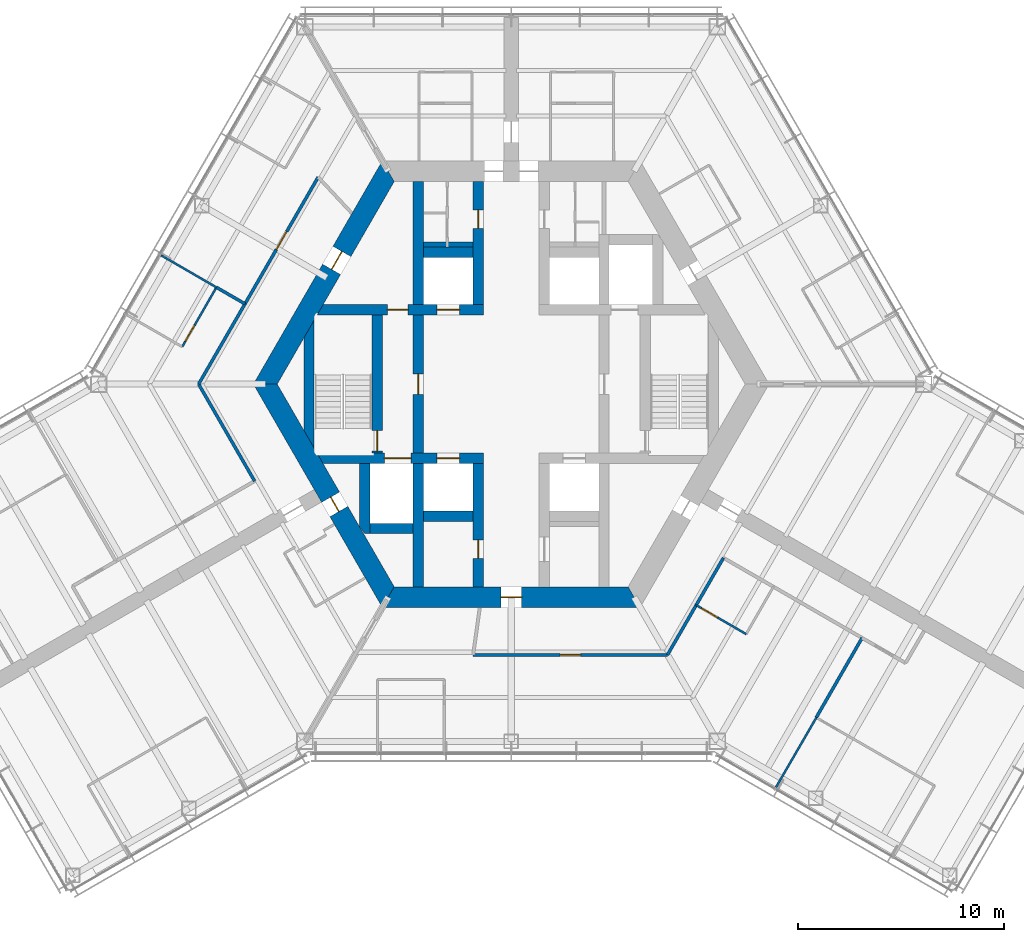
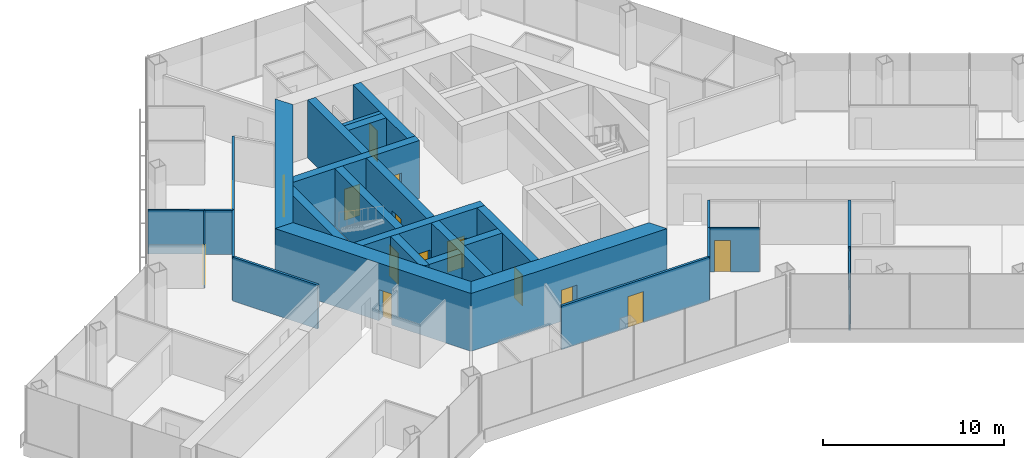
# One storey, part 12 of 18: 29 walls, 15 doors, 15 openings.
"""IFC4 building model written with IfcOpenShell, lengths in metres."""

import ifcopenshell
import ifcopenshell.guid

model = None  # the IFC model being written
_history = None  # IfcOwnerHistory: only IFC2X3 demands one
_inside = {}  # id of a spatial element -> (the spatial element, [elements in it])
_under = {}  # id of a project, library or spatial element -> (it, [spatial elements below it])
_declared = {}  # id of a project -> (the project, [libraries it declares])
_typed = {}  # id of a type object -> (the type object, [elements of that type])
_made_of = {}  # id of a material, layer set ... -> (it, [elements and type objects made of it])


def new_model(schema):
    """Start an empty IFC model of exactly this schema.

    Asked for "IFC4X3", IfcOpenShell would pick the latest addendum, in which some entities
    have other attributes; the version numbers below select the first issue.
    IFC2X3 requires an IfcOwnerHistory on every rooted entity: one is made here for all.
    """
    global model, _history
    if schema == "IFC4X3":
        model = ifcopenshell.file(schema_version=(4, 3, 0, 0))
    else:
        model = ifcopenshell.file(schema=schema)
    _inside.clear()
    _under.clear()
    _declared.clear()
    _typed.clear()
    _made_of.clear()
    _history = None
    if model.schema == "IFC2X3":
        org = make("IfcOrganization", Name="unknown")
        user = make(
            "IfcPersonAndOrganization",
            ThePerson=make("IfcPerson", FamilyName="unknown"),
            TheOrganization=org,
        )
        app = make(
            "IfcApplication",
            ApplicationDeveloper=org,
            Version="unknown",
            ApplicationFullName="unknown",
            ApplicationIdentifier="unknown",
        )
        _history = make(
            "IfcOwnerHistory",
            OwningUser=user,
            OwningApplication=app,
            ChangeAction="ADDED",
            CreationDate=0,
        )
    return model


def make(cls, **values):
    """One entity of the class cls with the attributes given. An attribute that is None is left unset."""
    return model.create_entity(
        cls, **{name: value for name, value in values.items() if value is not None}
    )


def rooted(cls, **values):
    """An entity with a GlobalId (a new one), such as an element, a storey or a relation."""
    return make(cls, GlobalId=ifcopenshell.guid.new(), OwnerHistory=_history, **values)


def si_unit(unit_type, name, prefix=None):
    """IfcSIUnit, for example si_unit("LENGTHUNIT", "METRE", prefix="MILLI")."""
    return make("IfcSIUnit", UnitType=unit_type, Prefix=prefix, Name=name)


def assignment(units):
    """IfcUnitAssignment: the units of a project."""
    return None if units is None else make("IfcUnitAssignment", Units=units)


def point(xyz):
    """IfcCartesianPoint."""
    return None if xyz is None else make("IfcCartesianPoint", Coordinates=xyz)


def direction(xyz):
    """IfcDirection."""
    return None if xyz is None else make("IfcDirection", DirectionRatios=xyz)


def frame(location, z_axis=None, x_axis=None):
    """IfcAxis2Placement3D, a coordinate frame: its origin and axes. An axis left out is left unset."""
    return make(
        "IfcAxis2Placement3D",
        Location=point(location),
        Axis=direction(z_axis),
        RefDirection=direction(x_axis),
    )


def frame_2d(location, x_axis=None):
    """IfcAxis2Placement2D, a coordinate frame in the plane: its origin and x axis."""
    return make(
        "IfcAxis2Placement2D", Location=point(location), RefDirection=direction(x_axis)
    )


def origin():
    """The frame at (0, 0, 0) with its axes left unset."""
    return frame((0.0, 0.0, 0.0))


def place(relative_to, where):
    """IfcLocalPlacement: puts the frame where relative to a parent placement (None: the world)."""
    return make(
        "IfcLocalPlacement", PlacementRelTo=relative_to, RelativePlacement=where
    )


def context(
    kind, dimensions, precision=None, world=None, true_north=None, identifier=None
):
    """IfcGeometricRepresentationContext, for example the 3D "Model" context."""
    return make(
        "IfcGeometricRepresentationContext",
        ContextIdentifier=identifier,
        ContextType=kind,
        CoordinateSpaceDimension=dimensions,
        Precision=precision,
        WorldCoordinateSystem=world,
        TrueNorth=true_north,
    )


def subcontext(parent, identifier, kind, view, scale=None):
    """IfcGeometricRepresentationSubContext, for example "Body" below "Model"."""
    return make(
        "IfcGeometricRepresentationSubContext",
        ContextIdentifier=identifier,
        ContextType=kind,
        ParentContext=parent,
        TargetScale=scale,
        TargetView=view,
    )


def project(units=None, contexts=None):
    """IfcProject with its units and contexts."""
    return rooted(
        "IfcProject",
        Name="project",
        RepresentationContexts=contexts,
        UnitsInContext=assignment(units),
    )


def spatial(cls, under=None, at=None, **own):
    """A site, building, storey or space (cls), placed at a placement, below another one or the project."""
    s = rooted(cls, ObjectPlacement=at, **own)
    if under is not None:
        _under.setdefault(under.id(), (under, []))[1].append(s)
    return s


def polyline(points):
    """IfcPolyline through the points."""
    return make("IfcPolyline", Points=[point(p) for p in points])


def profile(cls, at=None, kind="AREA", **sizes):
    """A parametric profile (cls). Its sizes go by their IFC names, for example OverallWidth=200.0."""
    return make(cls, ProfileType=kind, Position=at, **sizes)


def rectangle(**sizes):
    """IfcRectangleProfileDef."""
    return profile("IfcRectangleProfileDef", **sizes)


def outline(outer, holes=None, kind="AREA"):
    """IfcArbitraryClosedProfileDef: a profile drawn as a closed curve; with holes, ...WithVoids."""
    if holes is None:
        return make("IfcArbitraryClosedProfileDef", ProfileType=kind, OuterCurve=outer)
    return make(
        "IfcArbitraryProfileDefWithVoids",
        ProfileType=kind,
        OuterCurve=outer,
        InnerCurves=holes,
    )


def extrude(swept, where, along, depth):
    """IfcExtrudedAreaSolid: the profile swept, set in the frame where, extruded along a direction by depth."""
    return make(
        "IfcExtrudedAreaSolid",
        SweptArea=swept,
        Position=where,
        ExtrudedDirection=direction(along),
        Depth=depth,
    )


def shape(context_of_items, identifier, shape_type, items):
    """IfcShapeRepresentation: the items that make up one representation, for example the "Body"."""
    return make(
        "IfcShapeRepresentation",
        ContextOfItems=context_of_items,
        RepresentationIdentifier=identifier,
        RepresentationType=shape_type,
        Items=items,
    )


def material(Name=None, Category=None):
    """IfcMaterial."""
    return make("IfcMaterial", Name=Name, Category=Category)


def layer(
    of_material, thickness, ventilated=None, Name=None, Category=None, Priority=None
):
    """IfcMaterialLayer: one layer of a wall or slab, of a material (None: an air gap)."""
    return make(
        "IfcMaterialLayer",
        Material=of_material,
        LayerThickness=thickness,
        IsVentilated=ventilated,
        Name=Name,
        Category=Category,
        Priority=Priority,
    )


def layer_set(layers, Name=None):
    """IfcMaterialLayerSet."""
    return make("IfcMaterialLayerSet", MaterialLayers=layers, LayerSetName=Name)


def made_of(thing, what):
    """Note that an element or type object is made of a material, layer set ...; save() writes the relation."""
    if what is not None:
        _made_of.setdefault(what.id(), (what, []))[1].append(thing)
    return thing


def type_object(cls, material=None, **own):
    """A type object (cls), such as IfcWallType, which elements share."""
    return made_of(rooted(cls, **own), material)


def element(
    cls,
    number,
    at=None,
    inside=None,
    cuts=None,
    type_object=None,
    material=None,
    context=None,
    identifier="Body",
    shape_type=None,
    held_by="IfcProductDefinitionShape",
    body=None,
    shapes=None,
    **own,
):
    """One element of the class cls, such as IfcWall. Its Tag is "e" and its number.

    at: its placement. inside: the storey or other place that contains it. cuts: it is an
    opening in that element (IfcRelVoidsElement). A single representation is given by context,
    identifier, shape_type and body (its items); several are given by shapes. held_by: the class
    of the entity that holds the representations. save() writes the other relations.
    """
    e = rooted(cls, Tag="e%d" % number, ObjectPlacement=at, **own)
    if body is not None:
        shapes = [shape(context, identifier, shape_type, body)]
    if shapes is not None:
        e.Representation = make(held_by, Representations=shapes)
    if inside is not None:
        _inside.setdefault(inside.id(), (inside, []))[1].append(e)
    if cuts is not None:
        rooted(
            "IfcRelVoidsElement", RelatingBuildingElement=cuts, RelatedOpeningElement=e
        )
    if type_object is not None:
        _typed.setdefault(type_object.id(), (type_object, []))[1].append(e)
    return made_of(e, material)


def fill(opening, filler):
    """IfcRelFillsElement: the door or window that sits in an opening."""
    return rooted(
        "IfcRelFillsElement",
        RelatingOpeningElement=opening,
        RelatedBuildingElement=filler,
    )


def aggregate(whole, parts):
    """IfcRelAggregates: a whole, such as a stair, and the parts it consists of."""
    return rooted("IfcRelAggregates", RelatingObject=whole, RelatedObjects=parts)


def save(model, path):
    """Write the relations noted so far, then the file.

    IfcRelAggregates (storeys below a building ...), IfcRelContainedInSpatialStructure (elements
    in a storey), IfcRelDefinesByType, IfcRelAssociatesMaterial and IfcRelDeclares: one each for
    every whole, place, type object, material and project.
    """
    for whole, parts in _under.values():
        aggregate(whole, parts)
    for where, things in _inside.values():
        rooted(
            "IfcRelContainedInSpatialStructure",
            RelatedElements=things,
            RelatingStructure=where,
        )
    for kind, things in _typed.values():
        rooted("IfcRelDefinesByType", RelatedObjects=things, RelatingType=kind)
    for what, things in _made_of.values():
        rooted("IfcRelAssociatesMaterial", RelatedObjects=things, RelatingMaterial=what)
    for by, libraries in _declared.values():
        rooted("IfcRelDeclares", RelatingContext=by, RelatedDefinitions=libraries)
    model.write(path)


model = new_model("IFC4")

# Units and contexts
model_context = context("Model", 3, precision=1e-05, world=origin(), true_north=direction((0.0, 1.0)))
body_context = subcontext(model_context, "Body", "Model", "MODEL_VIEW")
ifc_project = project(units=[si_unit("LENGTHUNIT", "METRE"), si_unit("AREAUNIT", "SQUARE_METRE"), si_unit("VOLUMEUNIT", "CUBIC_METRE"), si_unit("PLANEANGLEUNIT", "RADIAN"), si_unit("MASSUNIT", "GRAM", prefix="KILO")], contexts=[model_context])

# Site, building, storey
site_placement = place(None, origin())
site = spatial("IfcSite", under=ifc_project, at=site_placement, CompositionType="ELEMENT")
building_placement = place(site_placement, origin())
building = spatial("IfcBuilding", under=site, at=building_placement, Name="Kasaneha Research Tower", CompositionType="ELEMENT")
storey_placement = place(building_placement, frame((0.0, 0.0, 137.0)))
storey = spatial("IfcBuildingStorey", under=building, at=storey_placement, Name="L34", CompositionType="ELEMENT", Elevation=137.0)

# Wall, openings, doors
ifc_material_1 = material(Name="Concrete Fc70", Category="concrete")
ifc_layer_1 = layer(ifc_material_1, 0.5)
ifc_layer_set_1 = layer_set([ifc_layer_1], Name="Core internal wall 500 Fc70")
wall_type_1 = type_object("IfcWallType", Name="Core internal wall 500 Fc70", PredefinedType="SHEAR", material=ifc_layer_set_1)
wall_1_placement = place(storey_placement, frame((-9.266357421875, 3.60009765625, 0.0), z_axis=(0.0, 0.0, 1.0), x_axis=(1.0, 0.0, 0.0)))
wall_1 = element("IfcWall", 1, at=wall_1_placement, inside=storey, type_object=wall_type_1, Name="Core wall W1W L34", PredefinedType="SHEAR", context=body_context, shape_type="SweptSolid", body=[
    extrude(outline(polyline([(-0.144287109375, -0.25), (3.266357421875, -0.25), (4.266357421875, -0.25), (5.66650390625, -0.25), (6.7666015625, -0.25), (7.916259765625, -0.25), (7.916259765625, 0.25), (6.7666015625, 0.25), (5.66650390625, 0.25), (4.266357421875, 0.25), (3.266357421875, 0.25), (0.144287109375, 0.25), (-0.144287109375, -0.25)])), origin(), (0.0, 0.0, 1.0), 3.89990234375),
])
opening_1_placement = place(wall_1_placement, frame((3.266357421875, 0.0, 0.0)))
opening_1 = element("IfcOpeningElement", 2, at=opening_1_placement, cuts=wall_1, Name="Opening L34-D12", PredefinedType="OPENING", context=body_context, shape_type="SweptSolid", body=[
    extrude(rectangle(XDim=1.0, YDim=2.10009765625, at=frame_2d((0.5, 1.050048828125))), frame((0.0, 0.260009765625, 0.0), z_axis=(0.0, -1.0, 0.0), x_axis=(1.0, 0.0, 0.0)), (0.0, 0.0, 1.0), 0.52001953125),
])
opening_2_placement = place(wall_1_placement, frame((5.66650390625, 0.0, 0.0)))
opening_2 = element("IfcOpeningElement", 3, at=opening_2_placement, cuts=wall_1, Name="Opening LD-LM1-L34", PredefinedType="OPENING", context=body_context, shape_type="SweptSolid", body=[
    extrude(rectangle(XDim=1.10009765625, YDim=2.10009765625, at=frame_2d((0.550048828125, 1.050048828125))), frame((0.0, 0.260009765625, 0.0), z_axis=(0.0, -1.0, 0.0), x_axis=(1.0, 0.0, 0.0)), (0.0, 0.0, 1.0), 0.52001953125),
])
ifc_material_2 = material(Name="Steel", Category="steel")
door_type_1 = type_object("IfcDoorType", Name="Lift landing door 1100x2100", OperationType="DOUBLE_DOOR_SLIDING", PredefinedType="DOOR", material=ifc_material_2)
door_1_placement = place(opening_2_placement, origin())
door_1 = element("IfcDoor", 4, at=door_1_placement, inside=storey, type_object=door_type_1, Name="Landing door LM1 LD-LM1-L34", OperationType="DOUBLE_DOOR_SLIDING", OverallHeight=2.10009765625, OverallWidth=1.10009765625, PredefinedType="DOOR", context=body_context, shape_type="SweptSolid", body=[
    extrude(rectangle(XDim=1.10009765625, YDim=2.10009765625, at=frame_2d((0.550048828125, 1.050048828125))), frame((0.0, 0.02490234375, 0.0), z_axis=(0.0, -1.0, 0.0), x_axis=(1.0, 0.0, 0.0)), (0.0, 0.0, 1.0), 0.050048828125),
])
fill(opening_2, door_1)
ifc_material_3 = material(Name="Steel", Category="steel")
door_type_2 = type_object("IfcDoorType", Name="Specified fire door FD60 1000x2100", OperationType="NOTDEFINED", PredefinedType="DOOR", material=ifc_material_3)
door_2_placement = place(opening_1_placement, origin())
door_2 = element("IfcDoor", 5, at=door_2_placement, inside=storey, type_object=door_type_2, Name="Vestibule to lobby door L34-D12", OperationType="SINGLE_SWING_LEFT", OverallHeight=2.10009765625, OverallWidth=1.0, PredefinedType="DOOR", context=body_context, shape_type="SweptSolid", body=[
    extrude(rectangle(XDim=1.0, YDim=2.10009765625, at=frame_2d((0.5, 1.050048828125))), frame((0.0, 0.02490234375, 0.0), z_axis=(0.0, -1.0, 0.0), x_axis=(1.0, 0.0, 0.0)), (0.0, 0.0, 1.0), 0.050048828125),
])
fill(opening_1, door_2)

wall_2_placement = place(storey_placement, frame((-9.266357421875, -3.60009765625, 0.0), z_axis=(0.0, 0.0, 1.0), x_axis=(1.0, 0.0, 0.0)))
wall_2 = element("IfcWall", 6, at=wall_2_placement, inside=storey, type_object=wall_type_1, Name="Core wall W2W L34", PredefinedType="SHEAR", context=body_context, shape_type="SweptSolid", body=[
    extrude(outline(polyline([(0.144287109375, -0.25), (3.116455078125, -0.25), (4.41650390625, -0.25), (5.66650390625, -0.25), (6.7666015625, -0.25), (7.916259765625, -0.25), (7.916259765625, 0.25), (6.7666015625, 0.25), (5.66650390625, 0.25), (4.41650390625, 0.25), (3.116455078125, 0.25), (-0.144287109375, 0.25), (0.144287109375, -0.25)])), origin(), (0.0, 0.0, 1.0), 3.89990234375),
])
opening_3_placement = place(wall_2_placement, frame((5.66650390625, 0.0, 0.0)))
opening_3 = element("IfcOpeningElement", 7, at=opening_3_placement, cuts=wall_2, Name="Opening LD-LM3-L34", PredefinedType="OPENING", context=body_context, shape_type="SweptSolid", body=[
    extrude(rectangle(XDim=1.10009765625, YDim=2.10009765625, at=frame_2d((0.550048828125, 1.050048828125))), frame((0.0, 0.260009765625, 0.0), z_axis=(0.0, -1.0, 0.0), x_axis=(1.0, 0.0, 0.0)), (0.0, 0.0, 1.0), 0.52001953125),
])
opening_4_placement = place(wall_2_placement, frame((3.116455078125, 0.0, 0.0)))
opening_4 = element("IfcOpeningElement", 8, at=opening_4_placement, cuts=wall_2, Name="Opening LD-FL2-L34", PredefinedType="OPENING", context=body_context, shape_type="SweptSolid", body=[
    extrude(rectangle(XDim=1.300048828125, YDim=2.10009765625, at=frame_2d((0.64990234375, 1.050048828125))), frame((0.0, 0.260009765625, 0.0), z_axis=(0.0, -1.0, 0.0), x_axis=(1.0, 0.0, 0.0)), (0.0, 0.0, 1.0), 0.52001953125),
])
door_3_placement = place(opening_3_placement, origin())
door_3 = element("IfcDoor", 9, at=door_3_placement, inside=storey, type_object=door_type_1, Name="Landing door LM3 LD-LM3-L34", OperationType="DOUBLE_DOOR_SLIDING", OverallHeight=2.10009765625, OverallWidth=1.10009765625, PredefinedType="DOOR", context=body_context, shape_type="SweptSolid", body=[
    extrude(rectangle(XDim=1.10009765625, YDim=2.10009765625, at=frame_2d((0.550048828125, 1.050048828125))), frame((0.0, 0.02490234375, 0.0), z_axis=(0.0, -1.0, 0.0), x_axis=(1.0, 0.0, 0.0)), (0.0, 0.0, 1.0), 0.050048828125),
])
fill(opening_3, door_3)
ifc_material_4 = material(Name="Steel", Category="steel")
door_type_3 = type_object("IfcDoorType", Name="Lift landing door 1300x2100", OperationType="DOUBLE_DOOR_SLIDING", PredefinedType="DOOR", material=ifc_material_4)
door_4_placement = place(opening_4_placement, origin())
door_4 = element("IfcDoor", 10, at=door_4_placement, inside=storey, type_object=door_type_3, Name="Landing door FL2 LD-FL2-L34", OperationType="DOUBLE_DOOR_SLIDING", OverallHeight=2.10009765625, OverallWidth=1.300048828125, PredefinedType="DOOR", context=body_context, shape_type="SweptSolid", body=[
    extrude(rectangle(XDim=1.300048828125, YDim=2.10009765625, at=frame_2d((0.64990234375, 1.050048828125))), frame((0.0, 0.02490234375, 0.0), z_axis=(0.0, -1.0, 0.0), x_axis=(1.0, 0.0, 0.0)), (0.0, 0.0, 1.0), 0.050048828125),
])
fill(opening_4, door_4)

# Wall, opening, door
wall_3_placement = place(storey_placement, frame((-1.60009765625, 3.85009765625, 0.0), z_axis=(0.0, 0.0, 1.0), x_axis=(0.0, 1.0, 0.0)))
wall_3 = element("IfcWall", 11, at=wall_3_placement, inside=storey, type_object=wall_type_1, Name="Core wall CNW L34", PredefinedType="SHEAR", context=body_context, shape_type="SweptSolid", body=[
    extrude(rectangle(XDim=5.974853515625, YDim=0.5, at=frame_2d((2.9873046875, 0.0))), origin(), (0.0, 0.0, 1.0), 3.89990234375),
])
opening_5_placement = place(wall_3_placement, frame((3.699951171875, 0.0, 0.0)))
opening_5 = element("IfcOpeningElement", 12, at=opening_5_placement, cuts=wall_3, Name="Opening L34-D13", PredefinedType="OPENING", context=body_context, shape_type="SweptSolid", body=[
    extrude(rectangle(XDim=0.89990234375, YDim=2.10009765625, at=frame_2d((0.449951171875, 1.050048828125))), frame((0.0, 0.260009765625, 0.0), z_axis=(0.0, -1.0, 0.0), x_axis=(1.0, 0.0, 0.0)), (0.0, 0.0, 1.0), 0.52001953125),
])
ifc_material_5 = material(Name="Steel", Category="steel")
door_type_4 = type_object("IfcDoorType", Name="Toilet door FD20 900x2100", OperationType="NOTDEFINED", PredefinedType="DOOR", material=ifc_material_5)
door_5_placement = place(opening_5_placement, origin())
door_5 = element("IfcDoor", 13, at=door_5_placement, inside=storey, type_object=door_type_4, Name="Men's WC door L34-D13", OperationType="SINGLE_SWING_LEFT", OverallHeight=2.10009765625, OverallWidth=0.89990234375, PredefinedType="DOOR", context=body_context, shape_type="SweptSolid", body=[
    extrude(rectangle(XDim=0.89990234375, YDim=2.10009765625, at=frame_2d((0.449951171875, 1.050048828125))), frame((0.0, 0.02490234375, 0.0), z_axis=(0.0, -1.0, 0.0), x_axis=(1.0, 0.0, 0.0)), (0.0, 0.0, 1.0), 0.050048828125),
])
fill(opening_5, door_5)

wall_4_placement = place(storey_placement, frame((-1.60009765625, -3.85009765625, 0.0), z_axis=(0.0, 0.0, 1.0), x_axis=(0.0, -1.0, 0.0)))
wall_4 = element("IfcWall", 14, at=wall_4_placement, inside=storey, type_object=wall_type_1, Name="Core wall CSW L34", PredefinedType="SHEAR", context=body_context, shape_type="SweptSolid", body=[
    extrude(rectangle(XDim=5.974853515625, YDim=0.5, at=frame_2d((2.9873046875, 0.0))), origin(), (0.0, 0.0, 1.0), 3.89990234375),
])
opening_6_placement = place(wall_4_placement, frame((3.699951171875, 0.0, 0.0)))
opening_6 = element("IfcOpeningElement", 15, at=opening_6_placement, cuts=wall_4, Name="Opening L34-D16", PredefinedType="OPENING", context=body_context, shape_type="SweptSolid", body=[
    extrude(rectangle(XDim=0.89990234375, YDim=2.10009765625, at=frame_2d((0.449951171875, 1.050048828125))), frame((0.0, 0.260009765625, 0.0), z_axis=(0.0, -1.0, 0.0), x_axis=(1.0, 0.0, 0.0)), (0.0, 0.0, 1.0), 0.52001953125),
])
ifc_material_6 = material(Name="Steel", Category="steel")
door_type_5 = type_object("IfcDoorType", Name="Riser access door FD60 900x2100", OperationType="NOTDEFINED", PredefinedType="DOOR", material=ifc_material_6)
door_6_placement = place(opening_6_placement, origin())
door_6 = element("IfcDoor", 16, at=door_6_placement, inside=storey, type_object=door_type_5, Name="Electrical riser door L34-D16", OperationType="SINGLE_SWING_LEFT", OverallHeight=2.10009765625, OverallWidth=0.89990234375, PredefinedType="DOOR", context=body_context, shape_type="SweptSolid", body=[
    extrude(rectangle(XDim=0.89990234375, YDim=2.10009765625, at=frame_2d((0.449951171875, 1.050048828125))), frame((0.0, 0.02490234375, 0.0), z_axis=(0.0, -1.0, 0.0), x_axis=(1.0, 0.0, 0.0)), (0.0, 0.0, 1.0), 0.050048828125),
])
fill(opening_6, door_6)

wall_5_placement = place(storey_placement, frame((-4.5, -3.35009765625, 0.0), z_axis=(0.0, 0.0, 1.0), x_axis=(0.0, 1.0, 0.0)))
wall_5 = element("IfcWall", 17, at=wall_5_placement, inside=storey, type_object=wall_type_1, Name="Core wall LBW L34", PredefinedType="SHEAR", context=body_context, shape_type="SweptSolid", body=[
    extrude(rectangle(XDim=6.7001953125, YDim=0.5, at=frame_2d((3.35009765625, 0.0))), origin(), (0.0, 0.0, 1.0), 3.89990234375),
])
opening_7_placement = place(wall_5_placement, frame((2.85009765625, 0.0, 0.0)))
opening_7 = element("IfcOpeningElement", 18, at=opening_7_placement, cuts=wall_5, Name="Opening L34-D09", PredefinedType="OPENING", context=body_context, shape_type="SweptSolid", body=[
    extrude(rectangle(XDim=1.0, YDim=2.10009765625, at=frame_2d((0.5, 1.050048828125))), frame((0.0, 0.260009765625, 0.0), z_axis=(0.0, -1.0, 0.0), x_axis=(1.0, 0.0, 0.0)), (0.0, 0.0, 1.0), 0.52001953125),
])
door_7_placement = place(opening_7_placement, origin())
door_7 = element("IfcDoor", 19, at=door_7_placement, inside=storey, type_object=door_type_2, Name="Lift lobby door west L34-D09", OperationType="SINGLE_SWING_LEFT", OverallHeight=2.10009765625, OverallWidth=1.0, PredefinedType="DOOR", context=body_context, shape_type="SweptSolid", body=[
    extrude(rectangle(XDim=1.0, YDim=2.10009765625, at=frame_2d((0.5, 1.050048828125))), frame((0.0, 0.02490234375, 0.0), z_axis=(0.0, -1.0, 0.0), x_axis=(1.0, 0.0, 0.0)), (0.0, 0.0, 1.0), 0.050048828125),
])
fill(opening_7, door_7)

wall_6_placement = place(storey_placement, frame((-6.5, -3.35009765625, 0.0), z_axis=(0.0, 0.0, 1.0), x_axis=(0.0, 1.0, 0.0)))
wall_6 = element("IfcWall", 20, at=wall_6_placement, inside=storey, type_object=wall_type_1, Name="Core wall ANW L34", PredefinedType="SHEAR", context=body_context, shape_type="SweptSolid", body=[
    extrude(rectangle(XDim=6.7001953125, YDim=0.5, at=frame_2d((3.35009765625, 0.0))), origin(), (0.0, 0.0, 1.0), 3.89990234375),
])
opening_8_placement = place(wall_6_placement, frame((0.10009765625, 0.0, 0.0)))
opening_8 = element("IfcOpeningElement", 21, at=opening_8_placement, cuts=wall_6, Name="Opening L34-D11", PredefinedType="OPENING", context=body_context, shape_type="SweptSolid", body=[
    extrude(rectangle(XDim=1.0, YDim=2.10009765625, at=frame_2d((0.5, 1.050048828125))), frame((0.0, 0.260009765625, 0.0), z_axis=(0.0, -1.0, 0.0), x_axis=(1.0, 0.0, 0.0)), (0.0, 0.0, 1.0), 0.52001953125),
])
door_8_placement = place(opening_8_placement, origin())
door_8 = element("IfcDoor", 22, at=door_8_placement, inside=storey, type_object=door_type_2, Name="Stair 2 door L34-D11", OperationType="SINGLE_SWING_LEFT", OverallHeight=2.10009765625, OverallWidth=1.0, PredefinedType="DOOR", context=body_context, shape_type="SweptSolid", body=[
    extrude(rectangle(XDim=1.0, YDim=2.10009765625, at=frame_2d((0.5, 1.050048828125))), frame((0.0, 0.02490234375, 0.0), z_axis=(0.0, -1.0, 0.0), x_axis=(1.0, 0.0, 0.0)), (0.0, 0.0, 1.0), 0.050048828125),
])
fill(opening_8, door_8)

# Walls
for number, where, z_axis, x_axis, name in (
    (23, (-4.5, 3.85009765625, 0.0), (0.0, 0.0, 1.0), (0.0, 1.0, 0.0), "Core wall VNW L34"),
    (24, (-4.5, -3.85009765625, 0.0), (0.0, 0.0, 1.0), (0.0, -1.0, 0.0), "Core wall SSW L34"),
):
    element("IfcWall", number, at=place(storey_placement, frame(where, z_axis=z_axis, x_axis=x_axis)), inside=storey, type_object=wall_type_1, Name=name, PredefinedType="SHEAR", context=body_context, shape_type="SweptSolid", body=[
        extrude(rectangle(XDim=5.974853515625, YDim=0.5, at=frame_2d((2.9873046875, 0.0))), origin(), (0.0, 0.0, 1.0), 3.89990234375),
    ])
for number, where, z_axis, x_axis, name in (
    (25, (-4.25, 6.39990234375, 0.0), (0.0, 0.0, 1.0), (1.0, 0.0, 0.0), "Core wall N1N L34"),
    (26, (-4.25, -6.39990234375, 0.0), (0.0, 0.0, 1.0), (1.0, 0.0, 0.0), "Core wall S1S L34"),
):
    element("IfcWall", number, at=place(storey_placement, frame(where, z_axis=z_axis, x_axis=x_axis)), inside=storey, type_object=wall_type_1, Name=name, PredefinedType="SHEAR", context=body_context, shape_type="SweptSolid", body=[
        extrude(rectangle(XDim=2.39990234375, YDim=0.5, at=frame_2d((1.199951171875, 0.0))), origin(), (0.0, 0.0, 1.0), 3.89990234375),
    ])
wall_7_placement = place(storey_placement, frame((-6.85009765625, -7.0, 0.0), z_axis=(0.0, 0.0, 1.0), x_axis=(1.0, 0.0, 0.0)))
element("IfcWall", 27, at=wall_7_placement, inside=storey, type_object=wall_type_1, Name="Core wall F2S L34", PredefinedType="SHEAR", context=body_context, shape_type="SweptSolid", body=[
    extrude(rectangle(XDim=2.10009765625, YDim=0.5, at=frame_2d((1.050048828125, 0.0))), origin(), (0.0, 0.0, 1.0), 3.89990234375),
])
wall_8_placement = place(storey_placement, frame((-7.10009765625, -3.85009765625, 0.0), z_axis=(0.0, 0.0, 1.0), x_axis=(0.0, -1.0, 0.0)))
element("IfcWall", 28, at=wall_8_placement, inside=storey, type_object=wall_type_1, Name="Core wall F2W L34", PredefinedType="SHEAR", context=body_context, shape_type="SweptSolid", body=[
    extrude(outline(polyline([(0.0, -0.25), (3.0693359375, -0.25), (3.39990234375, 0.0), (3.39990234375, 0.25), (0.0, 0.25), (0.0, -0.25)])), origin(), (0.0, 0.0, 1.0), 3.89990234375),
])
wall_9_placement = place(storey_placement, frame((-9.807861328125, -2.662353515625, 0.0), z_axis=(0.0, 0.0, 1.0), x_axis=(0.0, 1.0, 0.0)))
element("IfcWall", 29, at=wall_9_placement, inside=storey, type_object=wall_type_1, Name="Core wall STW L34", PredefinedType="SHEAR", context=body_context, shape_type="SweptSolid", body=[
    extrude(outline(polyline([(-0.43310546875, -0.25), (5.7578125, -0.25), (4.8916015625, 0.25), (0.43310546875, 0.25), (-0.43310546875, -0.25)])), origin(), (0.0, 0.0, 1.0), 3.89990234375),
])

# Wall, opening, door
ifc_material_7 = material(Name="Concrete Fc70", Category="concrete")
ifc_layer_2 = layer(ifc_material_7, 1.0)
ifc_layer_set_2 = layer_set([ifc_layer_2], Name="Core wall 1000 Fc70")
wall_type_2 = type_object("IfcWallType", Name="Core wall 1000 Fc70", PredefinedType="SHEAR", material=ifc_layer_set_2)
wall_10_placement = place(storey_placement, frame((-5.961181640625, 10.324951171875, 0.0), z_axis=(0.0, 0.0, 1.0), x_axis=(-0.500004296715, -0.866022923061, 0.0)))
wall_10 = element("IfcWall", 30, at=wall_10_placement, inside=storey, type_object=wall_type_2, Name="Core wall 150 L34", PredefinedType="SHEAR", context=body_context, shape_type="SweptSolid", body=[
    extrude(outline(polyline([(-0.28857421875, -0.5), (4.494140625, -0.5), (5.494140625, -0.5), (12.2109375, -0.5), (11.6337890625, 0.5), (5.494140625, 0.5), (4.494140625, 0.5), (0.28857421875, 0.5), (-0.28857421875, -0.5)])), origin(), (0.0, 0.0, 1.0), 3.89990234375),
])
opening_9_placement = place(wall_10_placement, frame((4.494140625, 0.0, 0.0)))
opening_9 = element("IfcOpeningElement", 31, at=opening_9_placement, cuts=wall_10, Name="Opening L34-D07", PredefinedType="OPENING", context=body_context, shape_type="SweptSolid", body=[
    extrude(rectangle(XDim=1.0, YDim=2.10009765625, at=frame_2d((0.5, 1.050048828125))), frame((0.0, 0.510009765625, 0.0), z_axis=(0.0, -1.0, 0.0), x_axis=(1.0, 0.0, 0.0)), (0.0, 0.0, 1.0), 1.02001953125),
])
ifc_material_8 = material(Name="Steel", Category="steel")
door_type_6 = type_object("IfcDoorType", Name="Fire door FD20 1000x2100", OperationType="NOTDEFINED", PredefinedType="DOOR", material=ifc_material_8)
door_9_placement = place(opening_9_placement, origin())
door_9 = element("IfcDoor", 32, at=door_9_placement, inside=storey, type_object=door_type_6, Name="Vestibule door L34-D07", OperationType="SINGLE_SWING_LEFT", OverallHeight=2.10009765625, OverallWidth=1.0, PredefinedType="DOOR", context=body_context, shape_type="SweptSolid", body=[
    extrude(rectangle(XDim=1.0, YDim=2.10009765625, at=frame_2d((0.5, 1.050048828125))), frame((0.0, 0.02490234375, 0.0), z_axis=(0.0, -1.0, 0.0), x_axis=(1.0, 0.0, 0.0)), (0.0, 0.0, 1.0), 0.050048828125),
])
fill(opening_9, door_9)

wall_11_placement = place(storey_placement, frame((-11.92236328125, 0.0, 0.0), z_axis=(0.0, 0.0, 1.0), x_axis=(0.500004296715, -0.866022923061, 0.0)))
wall_11 = element("IfcWall", 33, at=wall_11_placement, inside=storey, type_object=wall_type_2, Name="Core wall 210 L34", PredefinedType="SHEAR", context=body_context, shape_type="SweptSolid", body=[
    extrude(outline(polyline([(-0.28857421875, -0.5), (6.3310546875, -0.5), (7.131103515625, -0.5), (12.2109375, -0.5), (11.6337890625, 0.5), (7.131103515625, 0.5), (6.3310546875, 0.5), (0.28857421875, 0.5), (-0.28857421875, -0.5)])), origin(), (0.0, 0.0, 1.0), 3.89990234375),
])
opening_10_placement = place(wall_11_placement, frame((6.3310546875, 0.0, 0.0)))
opening_10 = element("IfcOpeningElement", 34, at=opening_10_placement, cuts=wall_11, Name="Opening L34-D06", PredefinedType="OPENING", context=body_context, shape_type="SweptSolid", body=[
    extrude(rectangle(XDim=0.800048828125, YDim=2.10009765625, at=frame_2d((0.39990234375, 1.050048828125))), frame((0.0, 0.510009765625, 0.0), z_axis=(0.0, -1.0, 0.0), x_axis=(1.0, 0.0, 0.0)), (0.0, 0.0, 1.0), 1.02001953125),
])
ifc_material_9 = material(Name="Steel", Category="steel")
door_type_7 = type_object("IfcDoorType", Name="Riser access door FD60 800x2100", OperationType="NOTDEFINED", PredefinedType="DOOR", material=ifc_material_9)
door_10_placement = place(opening_10_placement, origin())
door_10 = element("IfcDoor", 35, at=door_10_placement, inside=storey, type_object=door_type_7, Name="Duct riser door L34-D06", OperationType="SINGLE_SWING_RIGHT", OverallHeight=2.10009765625, OverallWidth=0.800048828125, PredefinedType="DOOR", context=body_context, shape_type="SweptSolid", body=[
    extrude(rectangle(XDim=0.800048828125, YDim=2.10009765625, at=frame_2d((0.39990234375, 1.050048828125))), frame((0.0, 0.02490234375, 0.0), z_axis=(0.0, -1.0, 0.0), x_axis=(1.0, 0.0, 0.0)), (0.0, 0.0, 1.0), 0.050048828125),
])
fill(opening_10, door_10)

wall_12_placement = place(storey_placement, frame((-5.961181640625, -10.324951171875, 0.0), z_axis=(0.0, 0.0, 1.0), x_axis=(1.0, 0.0, 0.0)))
wall_12 = element("IfcWall", 36, at=wall_12_placement, inside=storey, type_object=wall_type_2, Name="Core wall 270 L34", PredefinedType="SHEAR", context=body_context, shape_type="SweptSolid", body=[
    extrude(outline(polyline([(-0.28857421875, -0.5), (5.461181640625, -0.5), (6.461181640625, -0.5), (12.2109375, -0.5), (11.6337890625, 0.5), (6.461181640625, 0.5), (5.461181640625, 0.5), (0.28857421875, 0.5), (-0.28857421875, -0.5)])), origin(), (0.0, 0.0, 1.0), 3.89990234375),
])
opening_11_placement = place(wall_12_placement, frame((5.461181640625, 0.0, 0.0)))
opening_11 = element("IfcOpeningElement", 37, at=opening_11_placement, cuts=wall_12, Name="Opening L34-D03", PredefinedType="OPENING", context=body_context, shape_type="SweptSolid", body=[
    extrude(rectangle(XDim=1.0, YDim=2.10009765625, at=frame_2d((0.5, 1.050048828125))), frame((0.0, 0.510009765625, 0.0), z_axis=(0.0, -1.0, 0.0), x_axis=(1.0, 0.0, 0.0)), (0.0, 0.0, 1.0), 1.02001953125),
])
door_11_placement = place(opening_11_placement, origin())
door_11 = element("IfcDoor", 38, at=door_11_placement, inside=storey, type_object=door_type_6, Name="Core door south L34-D03", OperationType="SINGLE_SWING_LEFT", OverallHeight=2.10009765625, OverallWidth=1.0, PredefinedType="DOOR", context=body_context, shape_type="SweptSolid", body=[
    extrude(rectangle(XDim=1.0, YDim=2.10009765625, at=frame_2d((0.5, 1.050048828125))), frame((0.0, 0.02490234375, 0.0), z_axis=(0.0, -1.0, 0.0), x_axis=(1.0, 0.0, 0.0)), (0.0, 0.0, 1.0), 0.050048828125),
])
fill(opening_11, door_11)

ifc_material_10 = material(Name="Gypsum board on steel studs, one layer each side", Category="steel")
ifc_layer_3 = layer(ifc_material_10, 0.10009765625)
ifc_layer_set_3 = layer_set([ifc_layer_3], Name="Office partition 100")
wall_type_3 = type_object("IfcWallType", Name="Office partition 100", PredefinedType="PARTITIONING", material=ifc_layer_set_3)
wall_13_placement = place(storey_placement, frame((-14.291015625, 4.697509765625, 0.0), z_axis=(0.0, 0.0, 1.0), x_axis=(-0.498780940327, -0.866728085138, 0.0)))
wall_13 = element("IfcWall", 39, at=wall_13_placement, inside=storey, type_object=wall_type_3, Name="Office partition FBN15 L34", PredefinedType="PARTITIONING", context=body_context, shape_type="SweptSolid", body=[
    extrude(rectangle(XDim=3.330810546875, YDim=0.10009765625, at=frame_2d((1.66552734375, 0.0))), origin(), (0.0, 0.0, 1.0), 2.949951171875),
])
opening_12_placement = place(wall_13_placement, frame((2.130859375, 0.0, 0.0)))
opening_12 = element("IfcOpeningElement", 40, at=opening_12_placement, cuts=wall_13, Name="Opening L34-D39", PredefinedType="OPENING", context=body_context, shape_type="SweptSolid", body=[
    extrude(rectangle(XDim=0.89990234375, YDim=2.10009765625, at=frame_2d((0.449951171875, 1.050048828125))), frame((0.0, 0.06005859375, 0.0), z_axis=(0.0, -1.0, 0.0), x_axis=(1.0, 0.0, 0.0)), (0.0, 0.0, 1.0), 0.1201171875),
])
ifc_material_11 = material(Name="Timber veneer", Category="wood")
door_type_8 = type_object("IfcDoorType", Name="Office door 900x2100", OperationType="SINGLE_SWING_LEFT", PredefinedType="DOOR", material=ifc_material_11)
door_12_placement = place(opening_12_placement, origin())
door_12 = element("IfcDoor", 41, at=door_12_placement, inside=storey, type_object=door_type_8, Name="Workroom door L34-D39", OperationType="SINGLE_SWING_RIGHT", OverallHeight=2.10009765625, OverallWidth=0.89990234375, PredefinedType="DOOR", context=body_context, shape_type="SweptSolid", body=[
    extrude(rectangle(XDim=0.89990234375, YDim=2.10009765625, at=frame_2d((0.449951171875, 1.050048828125))), frame((0.0, 0.02490234375, 0.0), z_axis=(0.0, -1.0, 0.0), x_axis=(1.0, 0.0, 0.0)), (0.0, 0.0, 1.0), 0.050048828125),
])
fill(opening_12, door_12)

# Wall
wall_14_placement = place(storey_placement, frame((-16.97607421875, 6.247802734375, 0.0), z_axis=(0.0, 0.0, 1.0), x_axis=(0.865232439327, -0.501370946442, 0.0)))
element("IfcWall", 42, at=wall_14_placement, inside=storey, type_object=wall_type_3, Name="Office partition FBN16 L34", PredefinedType="PARTITIONING", context=body_context, shape_type="SweptSolid", body=[
    extrude(rectangle(XDim=3.105224609375, YDim=0.10009765625, at=frame_2d((1.552734375, 0.0))), origin(), (0.0, 0.0, 1.0), 2.949951171875),
])

# Wall, opening, door
wall_15_placement = place(storey_placement, frame((11.3916015625, -12.119384765625, 0.0), z_axis=(0.0, 0.0, 1.0), x_axis=(-0.865255114713, 0.501331812737, 0.0)))
wall_15 = element("IfcWall", 43, at=wall_15_placement, inside=storey, type_object=wall_type_3, Name="Office partition FCS09 L34", PredefinedType="PARTITIONING", context=body_context, shape_type="SweptSolid", body=[
    extrude(rectangle(XDim=2.800048828125, YDim=0.10009765625, at=frame_2d((1.39990234375, 0.0))), origin(), (0.0, 0.0, 1.0), 2.949951171875),
])
opening_13_placement = place(wall_15_placement, frame((1.60009765625, 0.0, 0.0)))
opening_13 = element("IfcOpeningElement", 44, at=opening_13_placement, cuts=wall_15, Name="Opening L34-D47", PredefinedType="OPENING", context=body_context, shape_type="SweptSolid", body=[
    extrude(rectangle(XDim=0.89990234375, YDim=2.10009765625, at=frame_2d((0.449951171875, 1.050048828125))), frame((0.0, 0.06005859375, 0.0), z_axis=(0.0, -1.0, 0.0), x_axis=(1.0, 0.0, 0.0)), (0.0, 0.0, 1.0), 0.1201171875),
])
door_13_placement = place(opening_13_placement, origin())
door_13 = element("IfcDoor", 45, at=door_13_placement, inside=storey, type_object=door_type_8, Name="Pantry door L34-D47", OperationType="SINGLE_SWING_RIGHT", OverallHeight=2.10009765625, OverallWidth=0.89990234375, PredefinedType="DOOR", context=body_context, shape_type="SweptSolid", body=[
    extrude(rectangle(XDim=0.89990234375, YDim=2.10009765625, at=frame_2d((0.449951171875, 1.050048828125))), frame((0.0, 0.02490234375, 0.0), z_axis=(0.0, -1.0, 0.0), x_axis=(1.0, 0.0, 0.0)), (0.0, 0.0, 1.0), 0.050048828125),
])
fill(opening_13, door_13)

# Walls
wall_16_placement = place(storey_placement, frame((12.839599609375, -19.543212890625, 0.0), z_axis=(0.0, 0.0, 1.0), x_axis=(0.501092951989, 0.865393467428, 0.0)))
element("IfcWall", 46, at=wall_16_placement, inside=storey, type_object=wall_type_3, Name="Office partition FCS14 L34", PredefinedType="PARTITIONING", context=body_context, shape_type="SweptSolid", body=[
    extrude(rectangle(XDim=3.905029296875, YDim=0.10009765625, at=frame_2d((1.95263671875, 0.0))), origin(), (0.0, 0.0, 1.0), 2.949951171875),
])
ifc_material_12 = material(Name="Gypsum board on steel studs, two layers each side", Category="steel")
ifc_layer_4 = layer(ifc_material_12, 0.14990234375)
ifc_layer_set_4 = layer_set([ifc_layer_4], Name="Suite partition 150")
wall_type_4 = type_object("IfcWallType", Name="Suite partition 150", PredefinedType="PARTITIONING", material=ifc_layer_set_4)
wall_17_placement = place(storey_placement, frame((-15.155517578125, 0.0, 0.0), z_axis=(0.0, 0.0, 1.0), x_axis=(0.500014848696, 0.866016830716, 0.0)))
element("IfcWall", 47, at=wall_17_placement, inside=storey, type_object=wall_type_4, Name="Suite partition FBN02 L34", PredefinedType="PARTITIONING", context=body_context, shape_type="SweptSolid", body=[
    extrude(rectangle(XDim=4.505126953125, YDim=0.14990234375, at=frame_2d((2.25244140625, 0.0))), origin(), (0.0, 0.0, 1.0), 2.949951171875),
])
wall_18_placement = place(storey_placement, frame((-12.441650390625, -4.700439453125, 0.0), z_axis=(0.0, 0.0, 1.0), x_axis=(-0.500009286329, 0.866020042254, 0.0)))
element("IfcWall", 48, at=wall_18_placement, inside=storey, type_object=wall_type_4, Name="Suite partition FBN03 L34", PredefinedType="PARTITIONING", context=body_context, shape_type="SweptSolid", body=[
    extrude(rectangle(XDim=5.427734375, YDim=0.14990234375, at=frame_2d((2.7138671875, 0.0))), origin(), (0.0, 0.0, 1.0), 2.949951171875),
])

# Wall, opening, door
wall_19_placement = place(storey_placement, frame((-12.90771484375, 3.89306640625, 0.0), z_axis=(0.0, 0.0, 1.0), x_axis=(0.500006411147, 0.866021702275, 0.0)))
wall_19 = element("IfcWall", 49, at=wall_19_placement, inside=storey, type_object=wall_type_4, Name="Suite partition FBN06 L34", PredefinedType="PARTITIONING", context=body_context, shape_type="SweptSolid", body=[
    extrude(rectangle(XDim=7.09521484375, YDim=0.14990234375, at=frame_2d((3.547607421875, 0.0))), origin(), (0.0, 0.0, 1.0), 2.949951171875),
])
opening_14_placement = place(wall_19_placement, frame((3.04736328125, 0.0, 0.0)))
opening_14 = element("IfcOpeningElement", 50, at=opening_14_placement, cuts=wall_19, Name="Opening L34-D36", PredefinedType="OPENING", context=body_context, shape_type="SweptSolid", body=[
    extrude(rectangle(XDim=1.0, YDim=2.10009765625, at=frame_2d((0.5, 1.050048828125))), frame((0.0, 0.0849609375, 0.0), z_axis=(0.0, -1.0, 0.0), x_axis=(1.0, 0.0, 0.0)), (0.0, 0.0, 1.0), 0.169921875),
])
ifc_material_13 = material(Name="Steel", Category="steel")
door_type_9 = type_object("IfcDoorType", Name="Suite entrance door FD60 1000x2100", OperationType="NOTDEFINED", PredefinedType="DOOR", material=ifc_material_13)
door_14_placement = place(opening_14_placement, origin())
door_14 = element("IfcDoor", 51, at=door_14_placement, inside=storey, type_object=door_type_9, Name="Suite entrance door L34-D36", OperationType="SINGLE_SWING_LEFT", OverallHeight=2.10009765625, OverallWidth=1.0, PredefinedType="DOOR", context=body_context, shape_type="SweptSolid", body=[
    extrude(rectangle(XDim=1.0, YDim=2.10009765625, at=frame_2d((0.5, 1.050048828125))), frame((0.0, 0.02490234375, 0.0), z_axis=(0.0, -1.0, 0.0), x_axis=(1.0, 0.0, 0.0)), (0.0, 0.0, 1.0), 0.050048828125),
])
fill(opening_14, door_14)

# Walls
wall_20_placement = place(storey_placement, frame((-14.2890625, 4.69091796875, 0.0), z_axis=(0.0, 0.0, 1.0), x_axis=(0.865925490132, -0.500173015605, 0.0)))
element("IfcWall", 52, at=wall_20_placement, inside=storey, type_object=wall_type_4, Name="Suite partition FBN20 L34", PredefinedType="PARTITIONING", context=body_context, shape_type="SweptSolid", body=[
    extrude(rectangle(XDim=1.5947265625, YDim=0.14990234375, at=frame_2d((0.79736328125, 0.0))), origin(), (0.0, 0.0, 1.0), 2.949951171875),
])
wall_21_placement = place(storey_placement, frame((10.29150390625, -8.424560546875, 0.0), z_axis=(0.0, 0.0, 1.0), x_axis=(-0.499966561876, -0.866044708433, 0.0)))
element("IfcWall", 53, at=wall_21_placement, inside=storey, type_object=wall_type_4, Name="Suite partition FCS01 L34", PredefinedType="PARTITIONING", context=body_context, shape_type="SweptSolid", body=[
    extrude(rectangle(XDim=2.655029296875, YDim=0.14990234375, at=frame_2d((1.32763671875, 0.0))), origin(), (0.0, 0.0, 1.0), 2.949951171875),
])

# Wall, opening, door
wall_22_placement = place(storey_placement, frame((7.57763671875, -13.125, 0.0), z_axis=(0.0, 0.0, 1.0), x_axis=(-1.0, 0.0, 0.0)))
wall_22 = element("IfcWall", 54, at=wall_22_placement, inside=storey, type_object=wall_type_4, Name="Suite partition FCS04 L34", PredefinedType="PARTITIONING", context=body_context, shape_type="SweptSolid", body=[
    extrude(rectangle(XDim=9.422119140625, YDim=0.14990234375, at=frame_2d((4.7109375, 0.0))), origin(), (0.0, 0.0, 1.0), 2.949951171875),
])
opening_15_placement = place(wall_22_placement, frame((4.211181640625, 0.0, 0.0)))
opening_15 = element("IfcOpeningElement", 55, at=opening_15_placement, cuts=wall_22, Name="Opening L34-D45", PredefinedType="OPENING", context=body_context, shape_type="SweptSolid", body=[
    extrude(rectangle(XDim=1.0, YDim=2.10009765625, at=frame_2d((0.5, 1.050048828125))), frame((0.0, 0.0849609375, 0.0), z_axis=(0.0, -1.0, 0.0), x_axis=(1.0, 0.0, 0.0)), (0.0, 0.0, 1.0), 0.169921875),
])
door_15_placement = place(opening_15_placement, origin())
door_15 = element("IfcDoor", 56, at=door_15_placement, inside=storey, type_object=door_type_9, Name="Suite entrance door L34-D45", OperationType="SINGLE_SWING_LEFT", OverallHeight=2.10009765625, OverallWidth=1.0, PredefinedType="DOOR", context=body_context, shape_type="SweptSolid", body=[
    extrude(rectangle(XDim=1.0, YDim=2.10009765625, at=frame_2d((0.5, 1.050048828125))), frame((0.0, 0.02490234375, 0.0), z_axis=(0.0, -1.0, 0.0), x_axis=(1.0, 0.0, 0.0)), (0.0, 0.0, 1.0), 0.050048828125),
])
fill(opening_15, door_15)

# Walls
wall_23_placement = place(storey_placement, frame((8.96875, -10.715576171875, 0.0), z_axis=(0.0, 0.0, 1.0), x_axis=(-0.500008568482, -0.866020456713, 0.0)))
element("IfcWall", 57, at=wall_23_placement, inside=storey, type_object=wall_type_4, Name="Suite partition FCS05 L34", PredefinedType="PARTITIONING", context=body_context, shape_type="SweptSolid", body=[
    extrude(rectangle(XDim=2.7822265625, YDim=0.14990234375, at=frame_2d((1.39111328125, 0.0))), origin(), (0.0, 0.0, 1.0), 2.949951171875),
])
wall_24_placement = place(storey_placement, frame((17.0126953125, -12.305419921875, 0.0), z_axis=(0.0, 0.0, 1.0), x_axis=(-0.499081704511, -0.866554933182, 0.0)))
element("IfcWall", 58, at=wall_24_placement, inside=storey, type_object=wall_type_4, Name="Suite partition FCS17 L34", PredefinedType="PARTITIONING", context=body_context, shape_type="SweptSolid", body=[
    extrude(rectangle(XDim=4.4541015625, YDim=0.14990234375, at=frame_2d((2.22705078125, 0.0))), origin(), (0.0, 0.0, 1.0), 2.949951171875),
])
ifc_material_14 = material(Name="Concrete block lining", Category="concrete")
ifc_layer_5 = layer(ifc_material_14, 0.25)
ifc_layer_set_5 = layer_set([ifc_layer_5], Name="WC plumbing wall 250")
wall_type_5 = type_object("IfcWallType", Name="WC plumbing wall 250", PredefinedType="PLUMBINGWALL", material=ifc_layer_set_5)
wall_25_placement = place(storey_placement, frame((-4.25, 6.77490234375, 0.0), z_axis=(0.0, 0.0, 1.0), x_axis=(1.0, 0.0, 0.0)))
element("IfcWall", 59, at=wall_25_placement, inside=storey, type_object=wall_type_5, Name="WC plumbing wall M L34", PredefinedType="PLUMBINGWALL", context=body_context, shape_type="SweptSolid", body=[
    extrude(rectangle(XDim=2.39990234375, YDim=0.25, at=frame_2d((1.199951171875, 0.0))), origin(), (0.0, 0.0, 1.0), 3.89990234375),
])

save(model, "model.ifc")
